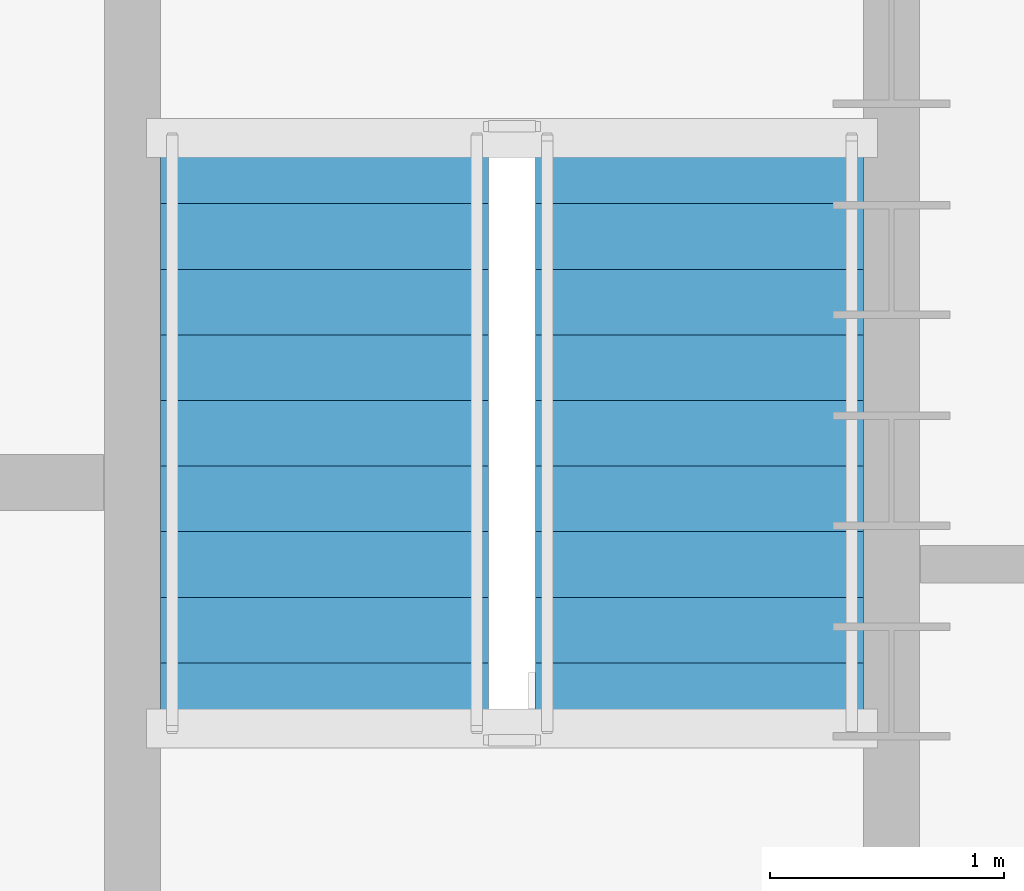
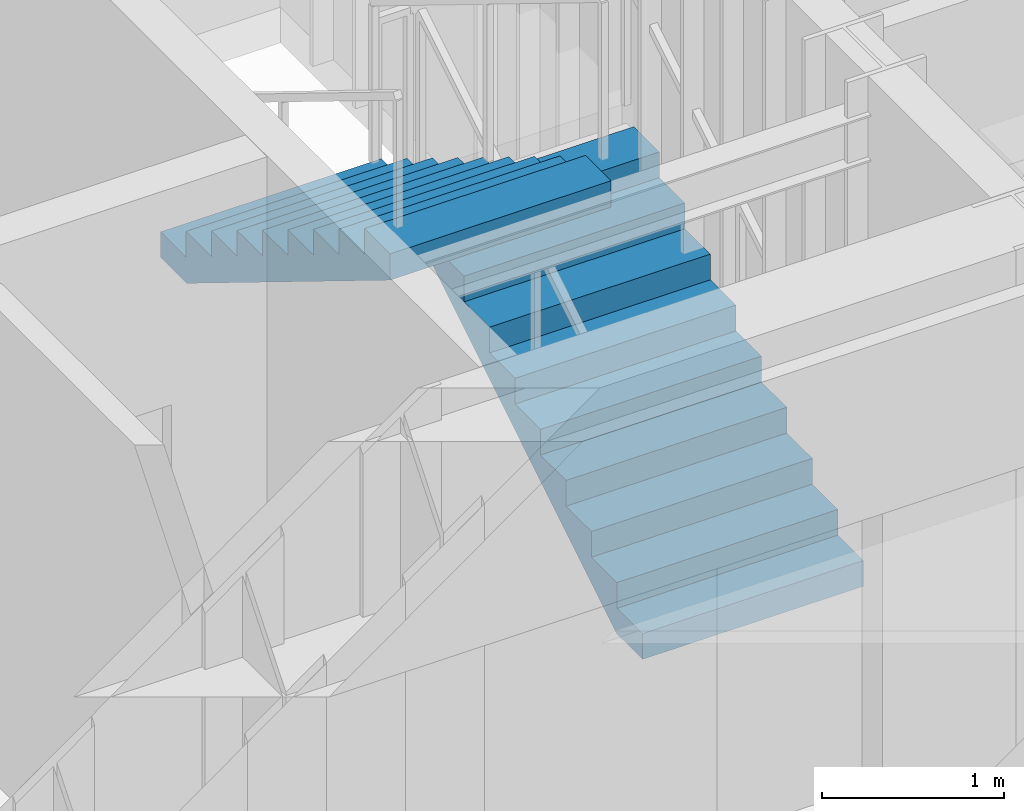
# One storey, part 12 of 15: 2 stair flights, 1 element without a shape of its own.
"""IFC4 building model written with IfcOpenShell, lengths in metres."""

from ifc_helpers import new_model, si_unit, direction, frame, origin, place, context, subcontext, project, spatial, polyline, outline, extrude, material, type_object, element, aggregate, save


model = new_model("IFC4")

# Units and contexts
model_context = context("Model", 3, precision=1e-05, world=origin(), true_north=direction((0.0, 1.0)))
body_context = subcontext(model_context, "Body", "Model", "MODEL_VIEW")
ifc_project = project(units=[si_unit("LENGTHUNIT", "METRE"), si_unit("AREAUNIT", "SQUARE_METRE"), si_unit("VOLUMEUNIT", "CUBIC_METRE"), si_unit("PLANEANGLEUNIT", "RADIAN"), si_unit("MASSUNIT", "GRAM", prefix="KILO")], contexts=[model_context])

# Site, building, storey
site_placement = place(None, origin())
site = spatial("IfcSite", under=ifc_project, at=site_placement, CompositionType="ELEMENT")
building_placement = place(site_placement, origin())
building = spatial("IfcBuilding", under=site, at=building_placement, Name="Haldorwick Loom Tower", CompositionType="ELEMENT")
storey_placement = place(building_placement, frame((0.0, 0.0, 92.14990234375)))
storey = spatial("IfcBuildingStorey", under=building, at=storey_placement, Name="L24", CompositionType="ELEMENT", Elevation=92.14990234375)

# Stair, stair flights
ifc_material = material(Name="Concrete C40 (40 MPa)", Category="concrete")
stair_type = type_object("IfcStairType", Name="STR-STR-CORE", PredefinedType="HALF_TURN_STAIR", material=ifc_material)
stair_placement = place(storey_placement, origin())
stair = element("IfcStair", 1, at=stair_placement, inside=storey, type_object=stair_type, Name="L24 Exit Stair ST-02", PredefinedType="HALF_TURN_STAIR")
stair_flight_type = type_object("IfcStairFlightType", Name="STR-STF-1250", PredefinedType="STRAIGHT", material=ifc_material)
stair_flight_1_placement = place(storey_placement, frame((49.25, 28.39990234375, 0.0), z_axis=(0.0, 0.0, 1.0), x_axis=(0.0, 1.0, 0.0)))
stair_flight_1 = element("IfcStairFlight", 2, at=stair_flight_1_placement, type_object=stair_flight_type, Name="ST-02 flight 1", NumberOfRisers=10, NumberOfTreads=9, PredefinedType="STRAIGHT", RiserHeight=0.1725, TreadLength=0.28, context=body_context, shape_type="SweptSolid", body=[
    extrude(outline(polyline([(0.0, 0.0), (0.0, 0.172607421875), (0.280029296875, 0.172607421875), (0.280029296875, 0.344970703125), (0.56005859375, 0.344970703125), (0.56005859375, 0.517578125), (0.840087890625, 0.517578125), (0.840087890625, 0.68994140625), (1.1201171875, 0.68994140625), (1.1201171875, 0.862548828125), (1.39990234375, 0.862548828125), (1.39990234375, 1.034912109375), (1.679931640625, 1.034912109375), (1.679931640625, 1.20751953125), (1.9599609375, 1.20751953125), (1.9599609375, 1.3798828125), (2.239990234375, 1.3798828125), (2.239990234375, 1.552490234375), (2.52001953125, 1.552490234375), (2.52001953125, 1.72509765625), (2.52001953125, 1.37646484375), (0.285888671875, 0.0), (0.0, 0.0)])), frame((0.0, 0.699951171875, 0.0), z_axis=(0.0, -1.0, 0.0), x_axis=(1.0, 0.0, 0.0)), (0.0, 0.0, 1.0), 1.39990234375),
])
stair_flight_2_placement = place(storey_placement, frame((47.64990234375, 30.919921875, 1.72509765625), z_axis=(0.0, 0.0, 1.0), x_axis=(0.0, -1.0, 0.0)))
stair_flight_2 = element("IfcStairFlight", 3, at=stair_flight_2_placement, type_object=stair_flight_type, Name="ST-02 flight 2", NumberOfRisers=10, NumberOfTreads=9, PredefinedType="STRAIGHT", RiserHeight=0.1725, TreadLength=0.28, context=body_context, shape_type="SweptSolid", body=[
    extrude(outline(polyline([(0.0, 0.0), (0.0, 0.172607421875), (0.280029296875, 0.172607421875), (0.280029296875, 0.344970703125), (0.56005859375, 0.344970703125), (0.56005859375, 0.517578125), (0.840087890625, 0.517578125), (0.840087890625, 0.68994140625), (1.1201171875, 0.68994140625), (1.1201171875, 0.862548828125), (1.39990234375, 0.862548828125), (1.39990234375, 1.034912109375), (1.679931640625, 1.034912109375), (1.679931640625, 1.20751953125), (1.9599609375, 1.20751953125), (1.9599609375, 1.3798828125), (2.239990234375, 1.3798828125), (2.239990234375, 1.552490234375), (2.52001953125, 1.552490234375), (2.52001953125, 1.72509765625), (2.52001953125, 1.37646484375), (0.285888671875, 0.0), (0.0, 0.0)])), frame((0.0, 0.699951171875, 0.0), z_axis=(0.0, -1.0, 0.0), x_axis=(1.0, 0.0, 0.0)), (0.0, 0.0, 1.0), 1.39990234375),
])
aggregate(stair, [stair_flight_1, stair_flight_2])

save(model, "model.ifc")
